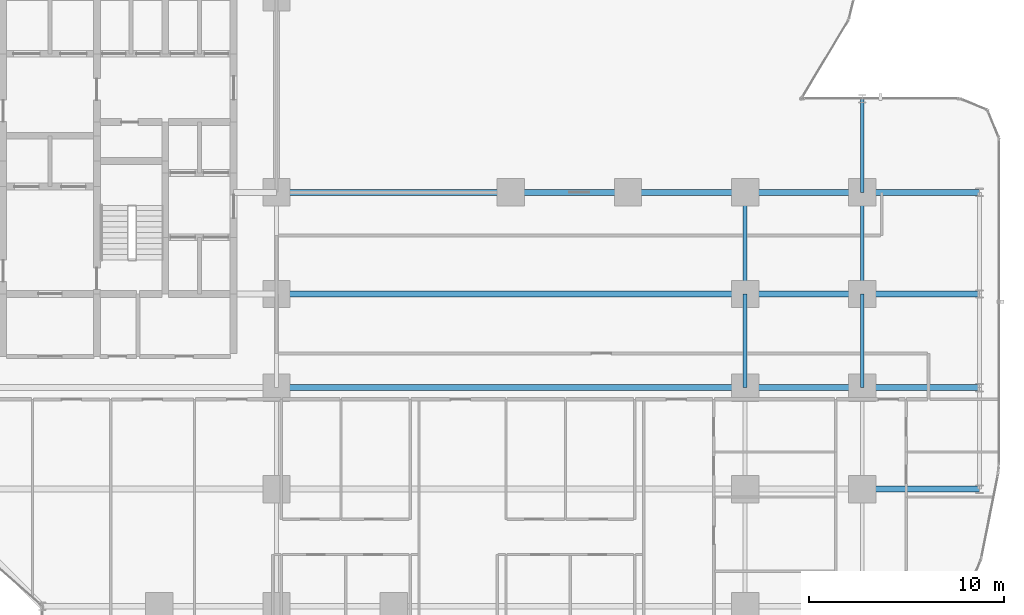
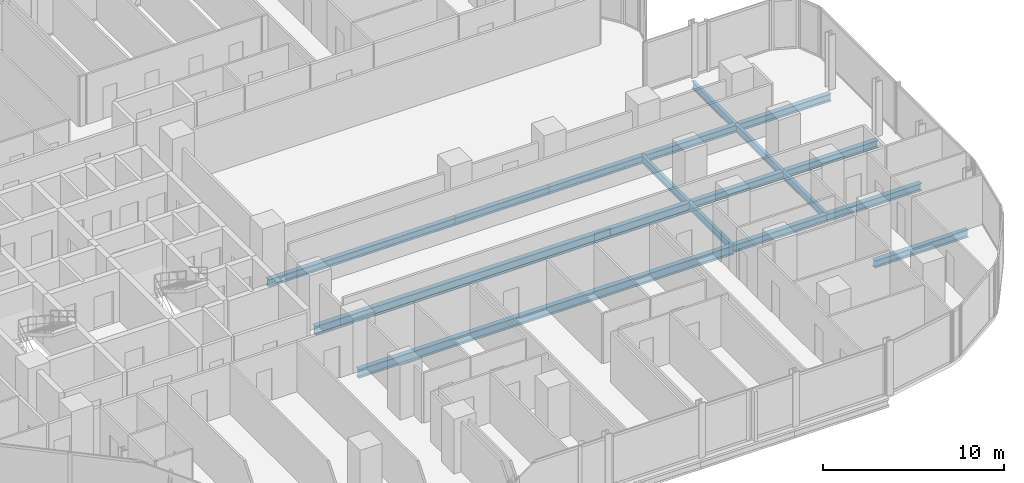
# One storey, part 10 of 34: 17 beams.
"""IFC4 building model written with IfcOpenShell, lengths in metres."""

from ifc_helpers import new_model, si_unit, direction, frame, origin, origin_2d, place, context, subcontext, project, spatial, i_section, extrude, material, material_profile, profile_set, type_object, element, save


model = new_model("IFC4")

# Units and contexts
model_context = context("Model", 3, precision=1e-05, world=origin(), true_north=direction((0.0, 1.0)))
body_context = subcontext(model_context, "Body", "Model", "MODEL_VIEW")
ifc_project = project(units=[si_unit("LENGTHUNIT", "METRE"), si_unit("AREAUNIT", "SQUARE_METRE"), si_unit("VOLUMEUNIT", "CUBIC_METRE"), si_unit("PLANEANGLEUNIT", "RADIAN"), si_unit("MASSUNIT", "GRAM", prefix="KILO")], contexts=[model_context])

# Site, building, storey
site_placement = place(None, origin())
site = spatial("IfcSite", under=ifc_project, at=site_placement, CompositionType="ELEMENT")
building_placement = place(site_placement, origin())
building = spatial("IfcBuilding", under=site, at=building_placement, Name="Keshet Zoharim Tower", CompositionType="ELEMENT")
storey_placement = place(building_placement, frame((0.0, 0.0, 46.199951171875)))
storey = spatial("IfcBuildingStorey", under=building, at=storey_placement, Name="L10", CompositionType="ELEMENT", Elevation=46.199951171875)

# Beams
ifc_material = material(Name="Steel S355", Category="steel")
ifc_material_profile_1 = material_profile(ifc_material, i_section(OverallWidth=0.300048828125, OverallDepth=0.60009765625, WebThickness=0.015380859375, FlangeThickness=0.030029296875, FilletRadius=0.027099609375, at=origin_2d()), Name="HEB600")
ifc_profile_set_1 = profile_set([ifc_material_profile_1], Name="Steel S355")
beam_type_1 = type_object("IfcBeamType", Name="BM-LNG-HB600", PredefinedType="BEAM", material=ifc_profile_set_1)
for number, where, z_axis, x_axis, name in (
    (1, (33.0, 17.89990234375, -0.614990234375), (1.0, 0.0, 0.0), (0.0, 1.0, 0.0), "L10 Primary Girder X-017"),
    (2, (33.0, 22.699951171875, -0.614990234375), (1.0, 0.0, 0.0), (0.0, 1.0, 0.0), "L10 Primary Girder X-020"),
):
    element("IfcBeam", number, at=place(storey_placement, frame(where, z_axis=z_axis, x_axis=x_axis)), inside=storey, type_object=beam_type_1, Name=name, PredefinedType="BEAM", context=body_context, shape_type="SweptSolid", body=[
        extrude(i_section(OverallWidth=0.300048828125, OverallDepth=0.60009765625, WebThickness=0.015380859375, FlangeThickness=0.030029296875, FilletRadius=0.027099609375, at=origin_2d()), origin(), (0.0, 0.0, 1.0), 24.0),
    ])
ifc_material_profile_2 = material_profile(ifc_material, i_section(OverallWidth=0.300048828125, OverallDepth=0.5, WebThickness=0.014404296875, FlangeThickness=0.028076171875, FilletRadius=0.027099609375, at=origin_2d()), Name="HEB500")
ifc_profile_set_2 = profile_set([ifc_material_profile_2], Name="Steel S355")
beam_type_2 = type_object("IfcBeamType", Name="BM-MED-HB500", PredefinedType="BEAM", material=ifc_profile_set_2)
beam_1_placement = place(storey_placement, frame((33.0, 27.89990234375, -0.56494140625), z_axis=(1.0, 0.0, 0.0), x_axis=(0.0, 1.0, 0.0)))
element("IfcBeam", 3, at=beam_1_placement, inside=storey, type_object=beam_type_2, Name="L10 Primary Girder X-023", PredefinedType="BEAM", context=body_context, shape_type="SweptSolid", body=[
    extrude(i_section(OverallWidth=0.300048828125, OverallDepth=0.5, WebThickness=0.014404296875, FlangeThickness=0.028076171875, FilletRadius=0.027099609375, at=origin_2d()), origin(), (0.0, 0.0, 1.0), 12.0),
])
ifc_material_profile_3 = material_profile(ifc_material, i_section(OverallWidth=0.199951171875, OverallDepth=0.5, WebThickness=0.01025390625, FlangeThickness=0.01611328125, FilletRadius=0.02099609375, at=origin_2d()), Name="IPE500")
ifc_profile_set_3 = profile_set([ifc_material_profile_3], Name="Steel S355")
beam_type_3 = type_object("IfcBeamType", Name="BM-PRI-IP500", PredefinedType="BEAM", material=ifc_profile_set_3)
beam_2_placement = place(storey_placement, frame((57.0, 17.89990234375, -0.56494140625), z_axis=(0.0, 1.0, 0.0), x_axis=(-1.0, 0.0, 0.0)))
element("IfcBeam", 4, at=beam_2_placement, inside=storey, type_object=beam_type_3, Name="L10 Primary Girder Y-016", PredefinedType="BEAM", context=body_context, shape_type="SweptSolid", body=[
    extrude(i_section(OverallWidth=0.199951171875, OverallDepth=0.5, WebThickness=0.01025390625, FlangeThickness=0.01611328125, FilletRadius=0.02099609375, at=origin_2d()), origin(), (0.0, 0.0, 1.0), 4.800048828125),
])
beam_3_placement = place(storey_placement, frame((57.0, 22.699951171875, -0.56494140625), z_axis=(0.0, 1.0, 0.0), x_axis=(-1.0, 0.0, 0.0)))
element("IfcBeam", 5, at=beam_3_placement, inside=storey, type_object=beam_type_3, Name="L10 Primary Girder Y-017", PredefinedType="BEAM", context=body_context, shape_type="SweptSolid", body=[
    extrude(i_section(OverallWidth=0.199951171875, OverallDepth=0.5, WebThickness=0.01025390625, FlangeThickness=0.01611328125, FilletRadius=0.02099609375, at=origin_2d()), origin(), (0.0, 0.0, 1.0), 5.199951171875),
])
beam_4_placement = place(storey_placement, frame((63.0, 17.89990234375, -0.56494140625), z_axis=(0.0, 1.0, 0.0), x_axis=(-1.0, 0.0, 0.0)))
element("IfcBeam", 6, at=beam_4_placement, inside=storey, type_object=beam_type_3, Name="L10 Primary Girder Y-020", PredefinedType="BEAM", context=body_context, shape_type="SweptSolid", body=[
    extrude(i_section(OverallWidth=0.199951171875, OverallDepth=0.5, WebThickness=0.01025390625, FlangeThickness=0.01611328125, FilletRadius=0.02099609375, at=origin_2d()), origin(), (0.0, 0.0, 1.0), 4.800048828125),
])
beam_5_placement = place(storey_placement, frame((63.0, 22.699951171875, -0.56494140625), z_axis=(0.0, 1.0, 0.0), x_axis=(-1.0, 0.0, 0.0)))
element("IfcBeam", 7, at=beam_5_placement, inside=storey, type_object=beam_type_3, Name="L10 Primary Girder Y-021", PredefinedType="BEAM", context=body_context, shape_type="SweptSolid", body=[
    extrude(i_section(OverallWidth=0.199951171875, OverallDepth=0.5, WebThickness=0.01025390625, FlangeThickness=0.01611328125, FilletRadius=0.02099609375, at=origin_2d()), origin(), (0.0, 0.0, 1.0), 5.199951171875),
])
beam_6_placement = place(storey_placement, frame((63.0, 27.89990234375, -0.56494140625), z_axis=(0.0, 1.0, 0.0), x_axis=(-1.0, 0.0, 0.0)))
element("IfcBeam", 8, at=beam_6_placement, inside=storey, type_object=beam_type_3, Name="L10 Primary Girder Y-022", PredefinedType="BEAM", context=body_context, shape_type="SweptSolid", body=[
    extrude(i_section(OverallWidth=0.199951171875, OverallDepth=0.5, WebThickness=0.01025390625, FlangeThickness=0.01611328125, FilletRadius=0.02099609375, at=origin_2d()), origin(), (0.0, 0.0, 1.0), 4.800048828125),
])
ifc_material_profile_4 = material_profile(ifc_material, i_section(OverallWidth=0.300048828125, OverallDepth=0.5, WebThickness=0.014404296875, FlangeThickness=0.028076171875, FilletRadius=0.027099609375, at=origin_2d()), Name="HEB500")
ifc_profile_set_4 = profile_set([ifc_material_profile_4], Name="Steel S355")
beam_type_4 = type_object("IfcBeamType", Name="BM-WEB-HB500", PredefinedType="BEAM", material=ifc_profile_set_4)
for number, where, z_axis, x_axis, name in (
    (9, (63.0, 12.699951171875, -0.56494140625), (1.0, 0.0, 0.0), (0.0, 1.0, 0.0), "L10 Primary Girder X-014"),
    (10, (57.0, 17.89990234375, -0.56494140625), (1.0, 0.0, 0.0), (0.0, 1.0, 0.0), "L10 Primary Girder X-018"),
    (11, (63.0, 17.89990234375, -0.56494140625), (1.0, 0.0, 0.0), (0.0, 1.0, 0.0), "L10 Primary Girder X-019"),
    (12, (57.0, 22.699951171875, -0.56494140625), (1.0, 0.0, 0.0), (0.0, 1.0, 0.0), "L10 Primary Girder X-021"),
    (13, (63.0, 22.699951171875, -0.56494140625), (1.0, 0.0, 0.0), (0.0, 1.0, 0.0), "L10 Primary Girder X-022"),
    (14, (45.0, 27.89990234375, -0.56494140625), (1.0, 0.0, 0.0), (0.0, 1.0, 0.0), "L10 Primary Girder X-024"),
    (15, (51.0, 27.89990234375, -0.56494140625), (1.0, 0.0, 0.0), (0.0, 1.0, 0.0), "L10 Primary Girder X-025"),
    (16, (57.0, 27.89990234375, -0.56494140625), (1.0, 0.0, 0.0), (0.0, 1.0, 0.0), "L10 Primary Girder X-026"),
    (17, (63.0, 27.89990234375, -0.56494140625), (1.0, 0.0, 0.0), (0.0, 1.0, 0.0), "L10 Primary Girder X-027"),
):
    element("IfcBeam", number, at=place(storey_placement, frame(where, z_axis=z_axis, x_axis=x_axis)), inside=storey, type_object=beam_type_4, Name=name, PredefinedType="BEAM", context=body_context, shape_type="SweptSolid", body=[
        extrude(i_section(OverallWidth=0.300048828125, OverallDepth=0.5, WebThickness=0.014404296875, FlangeThickness=0.028076171875, FilletRadius=0.027099609375, at=origin_2d()), origin(), (0.0, 0.0, 1.0), 6.0),
    ])

save(model, "model.ifc")
